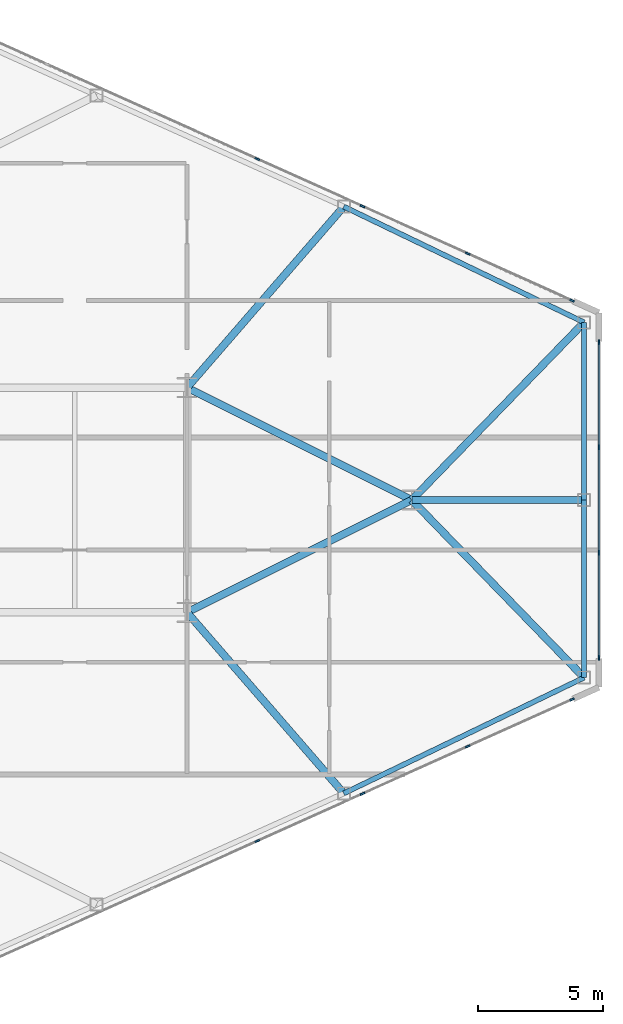
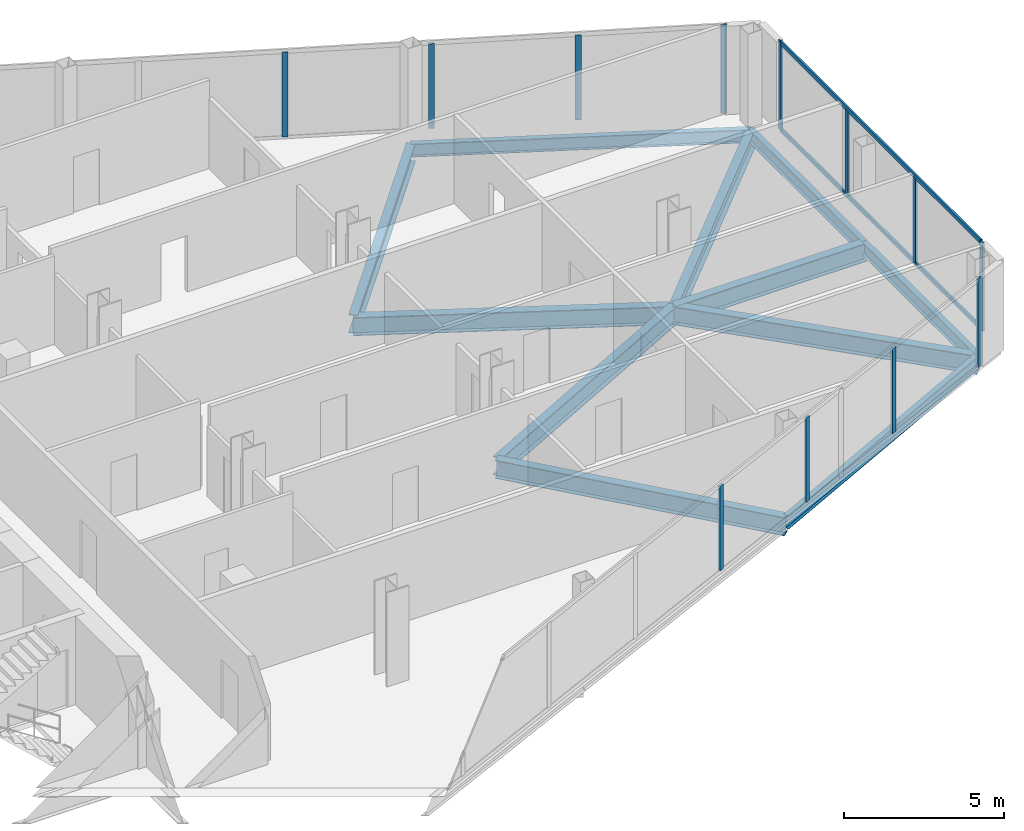
# One storey, part 16 of 27: 14 members, 11 beams, 3 elements without a shape of their own.
"""IFC4 building model written with IfcOpenShell, lengths in metres."""

from ifc_helpers import new_model, si_unit, direction, frame, origin, origin_2d, place, context, subcontext, project, spatial, rectangle, i_section, extrude, source, transform, mapped, material, layer, layer_set, material_profile, profile_set, type_object, type_shapes, element, aggregate, save


model = new_model("IFC4")

# Units and contexts
model_context = context("Model", 3, precision=1e-05, world=origin(), true_north=direction((0.0, 1.0)))
body_context = subcontext(model_context, "Body", "Model", "MODEL_VIEW")
ifc_project = project(units=[si_unit("LENGTHUNIT", "METRE"), si_unit("AREAUNIT", "SQUARE_METRE"), si_unit("VOLUMEUNIT", "CUBIC_METRE"), si_unit("PLANEANGLEUNIT", "RADIAN"), si_unit("MASSUNIT", "GRAM", prefix="KILO")], contexts=[model_context])

# Site, building, storey
site_placement = place(None, origin())
site = spatial("IfcSite", under=ifc_project, at=site_placement, CompositionType="ELEMENT")
building_placement = place(site_placement, origin())
building = spatial("IfcBuilding", under=site, at=building_placement, Name="Seokmaru Belvedere", CompositionType="ELEMENT")
storey_placement = place(building_placement, frame((0.0, 0.0, 103.199951171875)))
storey = spatial("IfcBuildingStorey", under=building, at=storey_placement, Name="L27", CompositionType="ELEMENT", Elevation=103.199951171875)

# Beams
ifc_material_1 = material(Name="Steel SM355 (355 MPa)", Category="steel")
ifc_material_profile_1 = material_profile(ifc_material_1, i_section(OverallWidth=0.300048828125, OverallDepth=0.699951171875, WebThickness=0.012939453125, FlangeThickness=0.02392578125, at=origin_2d()), Name="H-700x300x13x24")
ifc_profile_set_1 = profile_set([ifc_material_profile_1], Name="Steel SM355 (355 MPa)")
beam_type_1 = type_object("IfcBeamType", Name="Primary Floor Girder H-700", PredefinedType="BEAM", material=ifc_profile_set_1)
shared_shape_1 = source(origin(), body_context, "Body", "SweptSolid", [
    extrude(i_section(OverallWidth=0.300048828125, OverallDepth=0.699951171875, WebThickness=0.012939453125, FlangeThickness=0.02392578125, at=origin_2d()), origin(), (0.0, 0.0, 1.0), 10.062255859375),
])
for number, where, z_axis, x_axis, name in (
    (1, (54.5, -4.5, -0.570068359375), (0.894427191, 0.4472135955, 0.0), (-0.4472135955, 0.894427191, 0.0), "L27 E Apex Converging Girder 1"),
    (2, (54.5, 4.5, -0.570068359375), (0.894427191, -0.4472135955, 0.0), (0.4472135955, 0.894427191, 0.0), "L27 E Apex Converging Girder 2"),
):
    element("IfcBeam", number, at=place(storey_placement, frame(where, z_axis=z_axis, x_axis=x_axis)), inside=storey, type_object=beam_type_1, Name=name, PredefinedType="BEAM", context=body_context, shape_type="MappedRepresentation", body=[
        mapped(shared_shape_1, transform((0.0, 0.0, 0.0), scale=1.0)),
    ])
ifc_material_profile_2 = material_profile(ifc_material_1, i_section(OverallWidth=0.199951171875, OverallDepth=0.5, WebThickness=0.010009765625, FlangeThickness=0.01611328125, at=origin_2d()), Name="H-500x200x10x16")
ifc_profile_set_2 = profile_set([ifc_material_profile_2], Name="Steel SM355 (355 MPa)")
beam_type_2 = type_object("IfcBeamType", Name="Perimeter Spandrel Beam H-500", PredefinedType="SPANDREL", material=ifc_profile_set_2)
shared_shape_2 = source(origin(), body_context, "Body", "SweptSolid", [
    extrude(i_section(OverallWidth=0.199951171875, OverallDepth=0.5, WebThickness=0.010009765625, FlangeThickness=0.01611328125, at=origin_2d()), origin(), (0.0, 0.0, 1.0), 10.681396484375),
])
for number, where, z_axis, x_axis, name in (
    (3, (60.777587890625, -11.749267578125, -0.469970703125), (0.900846426616, 0.434137899352, 0.0), (-0.434137899352, 0.900846426616, 0.0), "L27 E Faceted Flank Spandrel S-4"),
    (4, (60.777587890625, 11.749267578125, -0.469970703125), (0.900846426616, -0.434137899352, 0.0), (0.434137899352, 0.900846426616, 0.0), "L27 E Faceted Flank Spandrel N-4"),
):
    element("IfcBeam", number, at=place(storey_placement, frame(where, z_axis=z_axis, x_axis=x_axis)), inside=storey, type_object=beam_type_2, Name=name, PredefinedType="SPANDREL", context=body_context, shape_type="MappedRepresentation", body=[
        mapped(shared_shape_2, transform((0.0, 0.0, 0.0), scale=1.0)),
    ])
shared_shape_3 = source(origin(), body_context, "Body", "SweptSolid", [
    extrude(i_section(OverallWidth=0.199951171875, OverallDepth=0.5, WebThickness=0.010009765625, FlangeThickness=0.01611328125, at=origin_2d()), origin(), (0.0, 0.0, 1.0), 7.112060546875),
])
type_shapes(beam_type_2, [shared_shape_2, shared_shape_3])
for number, where, z_axis, x_axis, name in (
    (5, (70.39990234375, -7.112060546875, -0.469970703125), (0.0, 1.0, 0.0), (-1.0, 0.0, 0.0), "L27 E Faceted Apex Spandrel S"),
    (6, (70.39990234375, 0.0, -0.469970703125), (0.0, 1.0, 0.0), (-1.0, 0.0, 0.0), "L27 E Faceted Apex Spandrel N"),
):
    element("IfcBeam", number, at=place(storey_placement, frame(where, z_axis=z_axis, x_axis=x_axis)), inside=storey, type_object=beam_type_2, Name=name, PredefinedType="SPANDREL", context=body_context, shape_type="MappedRepresentation", body=[
        mapped(shared_shape_3, transform((0.0, 0.0, 0.0), scale=1.0)),
    ])
shared_shape_4 = source(origin(), body_context, "Body", "SweptSolid", [
    extrude(i_section(OverallWidth=0.300048828125, OverallDepth=0.699951171875, WebThickness=0.012939453125, FlangeThickness=0.02392578125, at=origin_2d()), origin(), (0.0, 0.0, 1.0), 9.589599609375),
])
for number, where, z_axis, x_axis, name in (
    (7, (60.777587890625, -11.749267578125, -0.570068359375), (-0.654626140929, 0.755952786629, 0.0), (-0.755952786629, -0.654626140929, 0.0), "L27 E Flank Radial Floor Girder S-3"),
    (8, (60.777587890625, 11.749267578125, -0.570068359375), (-0.654626140929, -0.755952786629, 0.0), (0.755952786629, -0.654626140929, 0.0), "L27 E Flank Radial Floor Girder N-3"),
):
    element("IfcBeam", number, at=place(storey_placement, frame(where, z_axis=z_axis, x_axis=x_axis)), inside=storey, type_object=beam_type_1, Name=name, PredefinedType="BEAM", context=body_context, shape_type="MappedRepresentation", body=[
        mapped(shared_shape_4, transform((0.0, 0.0, 0.0), scale=1.0)),
    ])
shared_shape_5 = source(origin(), body_context, "Body", "SweptSolid", [
    extrude(i_section(OverallWidth=0.300048828125, OverallDepth=0.699951171875, WebThickness=0.012939453125, FlangeThickness=0.02392578125, at=origin_2d()), origin(), (0.0, 0.0, 1.0), 9.9091796875),
])
for number, where, z_axis, x_axis, name in (
    (9, (70.39990234375, -7.112060546875, -0.570068359375), (-0.6963205089, 0.717730972499, 0.0), (-0.717730972499, -0.6963205089, 0.0), "L27 E Apex Radial Floor Girder 1"),
    (10, (70.39990234375, 7.112060546875, -0.570068359375), (-0.6963205089, -0.717730972499, 0.0), (0.717730972499, -0.6963205089, 0.0), "L27 E Apex Radial Floor Girder 2"),
):
    element("IfcBeam", number, at=place(storey_placement, frame(where, z_axis=z_axis, x_axis=x_axis)), inside=storey, type_object=beam_type_1, Name=name, PredefinedType="BEAM", context=body_context, shape_type="MappedRepresentation", body=[
        mapped(shared_shape_5, transform((0.0, 0.0, 0.0), scale=1.0)),
    ])
shared_shape_6 = source(origin(), body_context, "Body", "SweptSolid", [
    extrude(i_section(OverallWidth=0.300048828125, OverallDepth=0.699951171875, WebThickness=0.012939453125, FlangeThickness=0.02392578125, at=origin_2d()), origin(), (0.0, 0.0, 1.0), 6.89990234375),
])
type_shapes(beam_type_1, [shared_shape_1, shared_shape_4, shared_shape_5, shared_shape_6])
beam_placement = place(storey_placement, frame((70.39990234375, 0.0, -0.570068359375), z_axis=(-1.0, 0.0, 0.0), x_axis=(0.0, -1.0, 0.0)))
element("IfcBeam", 11, at=beam_placement, inside=storey, type_object=beam_type_1, Name="L27 E Apex Center Radial Girder", PredefinedType="BEAM", context=body_context, shape_type="MappedRepresentation", body=[
    mapped(shared_shape_6, transform((0.0, 0.0, 0.0), scale=1.0)),
])

# Curtain wall, members
ifc_material_2 = material(Name="Bronze Triple Insulating Glass", Category="glass")
ifc_layer = layer(ifc_material_2, 0.195068359375)
ifc_layer_set = layer_set([ifc_layer], Name="Bronze Triple Insulating Glass")
curtain_wall_type = type_object("IfcCurtainWallType", Name="Lower-Mid Tapered Curtain Wall System CW-3", PredefinedType="NOTDEFINED", material=ifc_layer_set)
curtain_wall_1_placement = place(storey_placement, origin())
curtain_wall_1 = element("IfcCurtainWall", 12, at=curtain_wall_1_placement, inside=storey, type_object=curtain_wall_type, Name="L27 Curtain Wall EF1", PredefinedType="NOTDEFINED")
ifc_material_3 = material(Name="Anodised Bronze Aluminium", Category="aluminium")
ifc_material_profile_3 = material_profile(ifc_material_3, rectangle(XDim=0.070068359375, YDim=0.195068359375, at=origin_2d()), Name="CW-M-70x195")
ifc_profile_set_3 = profile_set([ifc_material_profile_3], Name="Anodised Bronze Aluminium")
member_type_1 = type_object("IfcMemberType", Name="Bronze Unitised Mullion 70x195", PredefinedType="MULLION", material=ifc_profile_set_3)
shared_shape_7 = source(origin(), body_context, "Body", "SweptSolid", [
    extrude(rectangle(XDim=0.070068359375, YDim=0.195068359375, at=origin_2d()), origin(), (0.0, 0.0, 1.0), 3.239990234375),
])
member_1_placement = place(storey_placement, frame((57.317138671875, -13.6572265625, 0.070068359375), z_axis=(0.0, 0.0, 1.0), x_axis=(-0.41036554765, 0.91192111353, 0.0)))
member_1 = element("IfcMember", 13, at=member_1_placement, type_object=member_type_1, Name="CW:L27:EF1 Mullion 7", PredefinedType="MULLION", context=body_context, shape_type="MappedRepresentation", body=[
    mapped(shared_shape_7, transform((0.0, 0.0, 0.0), scale=1.0)),
])
member_2_placement = place(storey_placement, frame((61.528564453125, -11.76220703125, 0.070068359375), z_axis=(0.0, 0.0, 1.0), x_axis=(-0.41036554765, 0.91192111353, 0.0)))
member_2 = element("IfcMember", 14, at=member_2_placement, type_object=member_type_1, Name="CW:L27:EF1 Mullion 8", PredefinedType="MULLION", context=body_context, shape_type="MappedRepresentation", body=[
    mapped(shared_shape_7, transform((0.0, 0.0, 0.0), scale=1.0)),
])
member_3_placement = place(storey_placement, frame((65.739990234375, -9.866943359375, 0.070068359375), z_axis=(0.0, 0.0, 1.0), x_axis=(-0.41036554765, 0.91192111353, 0.0)))
member_3 = element("IfcMember", 15, at=member_3_placement, type_object=member_type_1, Name="CW:L27:EF1 Mullion 9", PredefinedType="MULLION", context=body_context, shape_type="MappedRepresentation", body=[
    mapped(shared_shape_7, transform((0.0, 0.0, 0.0), scale=1.0)),
])

curtain_wall_2_placement = place(storey_placement, origin())
curtain_wall_2 = element("IfcCurtainWall", 16, at=curtain_wall_2_placement, inside=storey, type_object=curtain_wall_type, Name="L27 Curtain Wall EF2", PredefinedType="NOTDEFINED")
member_4_placement = place(storey_placement, frame((71.0, -2.11669921875, 0.070068359375), z_axis=(0.0, 0.0, 1.0), x_axis=(-1.0, 0.0, 0.0)))
member_4 = element("IfcMember", 17, at=member_4_placement, type_object=member_type_1, Name="CW:L27:EF2 Mullion 2", PredefinedType="MULLION", context=body_context, shape_type="MappedRepresentation", body=[
    mapped(shared_shape_7, transform((0.0, 0.0, 0.0), scale=1.0)),
])
member_5_placement = place(storey_placement, frame((71.0, 2.11669921875, 0.070068359375), z_axis=(0.0, 0.0, 1.0), x_axis=(-1.0, 0.0, 0.0)))
member_5 = element("IfcMember", 18, at=member_5_placement, type_object=member_type_1, Name="CW:L27:EF2 Mullion 3", PredefinedType="MULLION", context=body_context, shape_type="MappedRepresentation", body=[
    mapped(shared_shape_7, transform((0.0, 0.0, 0.0), scale=1.0)),
])

curtain_wall_3_placement = place(storey_placement, origin())
curtain_wall_3 = element("IfcCurtainWall", 19, at=curtain_wall_3_placement, inside=storey, type_object=curtain_wall_type, Name="L27 Curtain Wall EF3", PredefinedType="NOTDEFINED")
member_6_placement = place(storey_placement, frame((65.739990234375, 9.866943359375, 0.070068359375), z_axis=(0.0, 0.0, 1.0), x_axis=(-0.41036554765, -0.91192111353, 0.0)))
member_6 = element("IfcMember", 20, at=member_6_placement, type_object=member_type_1, Name="CW:L27:EF3 Mullion 2", PredefinedType="MULLION", context=body_context, shape_type="MappedRepresentation", body=[
    mapped(shared_shape_7, transform((0.0, 0.0, 0.0), scale=1.0)),
])
member_7_placement = place(storey_placement, frame((61.528564453125, 11.76220703125, 0.070068359375), z_axis=(0.0, 0.0, 1.0), x_axis=(-0.41036554765, -0.91192111353, 0.0)))
member_7 = element("IfcMember", 21, at=member_7_placement, type_object=member_type_1, Name="CW:L27:EF3 Mullion 3", PredefinedType="MULLION", context=body_context, shape_type="MappedRepresentation", body=[
    mapped(shared_shape_7, transform((0.0, 0.0, 0.0), scale=1.0)),
])
member_8_placement = place(storey_placement, frame((57.317138671875, 13.6572265625, 0.070068359375), z_axis=(0.0, 0.0, 1.0), x_axis=(-0.41036554765, -0.91192111353, 0.0)))
member_8 = element("IfcMember", 22, at=member_8_placement, type_object=member_type_1, Name="CW:L27:EF3 Mullion 4", PredefinedType="MULLION", context=body_context, shape_type="MappedRepresentation", body=[
    mapped(shared_shape_7, transform((0.0, 0.0, 0.0), scale=1.0)),
])

# Member
ifc_material_profile_4 = material_profile(ifc_material_3, rectangle(XDim=0.070068359375, YDim=0.1650390625, at=origin_2d()), Name="CW-T-70x165")
ifc_profile_set_4 = profile_set([ifc_material_profile_4], Name="Anodised Bronze Aluminium")
member_type_2 = type_object("IfcMemberType", Name="Bronze Unitised Transom 70x165", PredefinedType="USERDEFINED", material=ifc_profile_set_4)
shared_shape_8 = source(origin(), body_context, "Body", "SweptSolid", [
    extrude(rectangle(XDim=0.070068359375, YDim=0.1650390625, at=origin_2d()), origin(), (0.0, 0.0, 1.0), 12.56005859375),
])
type_shapes(member_type_2, [shared_shape_8])
member_9_placement = place(storey_placement, frame((71.0, -6.280029296875, 0.03515625), z_axis=(0.0, 1.0, 0.0), x_axis=(-1.0, 0.0, 0.0)))
member_9 = element("IfcMember", 23, at=member_9_placement, type_object=member_type_2, Name="CW:L27:EF2 Continuous Transom 1", ObjectType="TRANSOM", PredefinedType="USERDEFINED", context=body_context, shape_type="MappedRepresentation", body=[
    mapped(shared_shape_8, transform((0.0, 0.0, 0.0), scale=1.0)),
])

member_10_placement = place(storey_placement, frame((71.0, -6.280029296875, 3.344970703125), z_axis=(0.0, 1.0, 0.0), x_axis=(-1.0, 0.0, 0.0)))
member_10 = element("IfcMember", 24, at=member_10_placement, type_object=member_type_2, Name="CW:L27:EF2 Continuous Transom 2", ObjectType="TRANSOM", PredefinedType="USERDEFINED", context=body_context, shape_type="MappedRepresentation", body=[
    mapped(shared_shape_8, transform((0.0, 0.0, 0.0), scale=1.0)),
])

shared_shape_9 = source(origin(), body_context, "Body", "SweptSolid", [
    extrude(rectangle(XDim=0.070068359375, YDim=0.195068359375, at=origin_2d()), origin(), (0.0, 0.0, 1.0), 3.380126953125),
])
type_shapes(member_type_1, [shared_shape_7, shared_shape_9])
member_11_placement = place(storey_placement, frame((69.91943359375, -7.986328125, 0.0), z_axis=(0.0, 0.0, 1.0), x_axis=(-0.41036554765, 0.91192111353, 0.0)))
member_11 = element("IfcMember", 25, at=member_11_placement, type_object=member_type_1, Name="CW:L27:EF1 Mullion 10", PredefinedType="MULLION", context=body_context, shape_type="MappedRepresentation", body=[
    mapped(shared_shape_9, transform((0.0, 0.0, 0.0), scale=1.0)),
])

aggregate(curtain_wall_1, [member_1, member_2, member_3, member_11])

member_12_placement = place(storey_placement, frame((71.0, -6.31494140625, 0.0), z_axis=(0.0, 0.0, 1.0), x_axis=(-1.0, 0.0, 0.0)))
member_12 = element("IfcMember", 26, at=member_12_placement, type_object=member_type_1, Name="CW:L27:EF2 Mullion 1", PredefinedType="MULLION", context=body_context, shape_type="MappedRepresentation", body=[
    mapped(shared_shape_9, transform((0.0, 0.0, 0.0), scale=1.0)),
])

member_13_placement = place(storey_placement, frame((71.0, 6.31494140625, 0.0), z_axis=(0.0, 0.0, 1.0), x_axis=(-1.0, 0.0, 0.0)))
member_13 = element("IfcMember", 27, at=member_13_placement, type_object=member_type_1, Name="CW:L27:EF2 Mullion 4", PredefinedType="MULLION", context=body_context, shape_type="MappedRepresentation", body=[
    mapped(shared_shape_9, transform((0.0, 0.0, 0.0), scale=1.0)),
])

aggregate(curtain_wall_2, [member_12, member_4, member_5, member_13, member_9, member_10])

member_14_placement = place(storey_placement, frame((69.91943359375, 7.986328125, 0.0), z_axis=(0.0, 0.0, 1.0), x_axis=(-0.41036554765, -0.91192111353, 0.0)))
member_14 = element("IfcMember", 28, at=member_14_placement, type_object=member_type_1, Name="CW:L27:EF3 Mullion 1", PredefinedType="MULLION", context=body_context, shape_type="MappedRepresentation", body=[
    mapped(shared_shape_9, transform((0.0, 0.0, 0.0), scale=1.0)),
])

aggregate(curtain_wall_3, [member_14, member_6, member_7, member_8])

save(model, "model.ifc")
